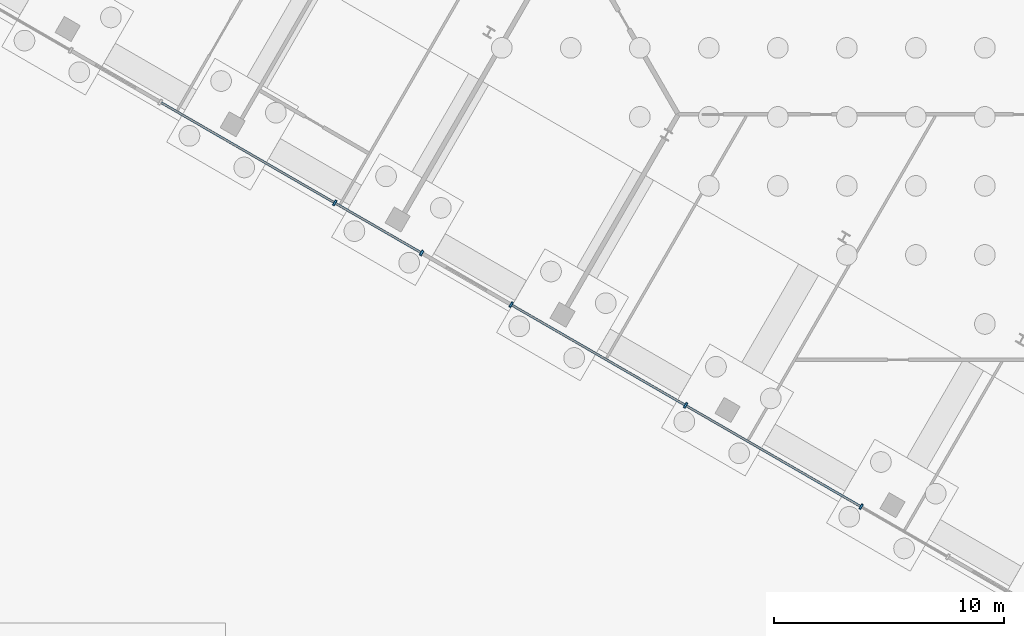
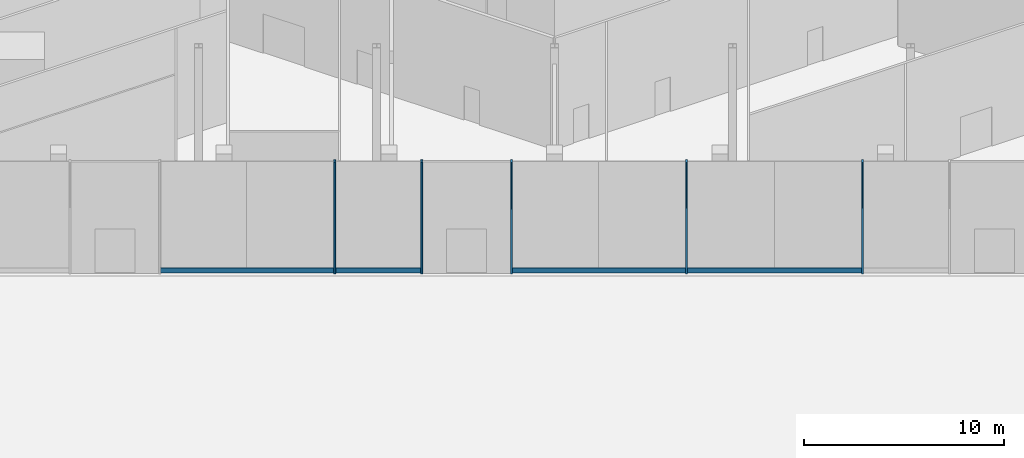
# One storey, part 8 of 27: 9 members, 2 elements without a shape of their own.
"""IFC4 building model written with IfcOpenShell, lengths in metres."""

from ifc_helpers import new_model, si_unit, direction, frame, origin, origin_2d, place, context, subcontext, project, spatial, rectangle, extrude, source, transform, mapped, material, material_profile, profile_set, type_object, element, aggregate, save


model = new_model("IFC4")

# Units and contexts
model_context = context("Model", 3, precision=1e-05, world=origin(), true_north=direction((0.0, 1.0)))
body_context = subcontext(model_context, "Body", "Model", "MODEL_VIEW")
ifc_project = project(units=[si_unit("LENGTHUNIT", "METRE"), si_unit("AREAUNIT", "SQUARE_METRE"), si_unit("VOLUMEUNIT", "CUBIC_METRE"), si_unit("PLANEANGLEUNIT", "RADIAN"), si_unit("MASSUNIT", "GRAM", prefix="KILO")], contexts=[model_context])

# Site, building, storey
site_placement = place(None, origin())
site = spatial("IfcSite", under=ifc_project, at=site_placement, CompositionType="ELEMENT")
building_placement = place(site_placement, origin())
building = spatial("IfcBuilding", under=site, at=building_placement, Name="Triune Harvest Tower", CompositionType="ELEMENT")
storey_placement = place(building_placement, origin())
storey = spatial("IfcBuildingStorey", under=building, at=storey_placement, Name="L00", CompositionType="ELEMENT", Elevation=0.0)

# Curtain wall, members
ifc_material_1 = material(Name="Aluminium bronze anodised", Category="aluminium")
curtain_wall_type = type_object("IfcCurtainWallType", Name="CW-2 Podium shopfront wall", PredefinedType="NOTDEFINED", material=ifc_material_1)
curtain_wall_1_placement = place(storey_placement, origin())
curtain_wall_1 = element("IfcCurtainWall", 1, at=curtain_wall_1_placement, inside=storey, type_object=curtain_wall_type, Name="CW-2 PD-F5 L00 run 2")
ifc_material_2 = material(Name="Aluminium bronze anodised", Category="aluminium")
ifc_material_profile_1 = material_profile(ifc_material_2, rectangle(XDim=0.10009765625, YDim=0.300048828125, at=origin_2d()), Name="TR-2 transom 100 x 300")
ifc_profile_set_1 = profile_set([ifc_material_profile_1], Name="Aluminium bronze anodised")
member_type_1 = type_object("IfcMemberType", Name="TR-2 transom 100 x 300", PredefinedType="USERDEFINED", material=ifc_profile_set_1)
member_1_placement = place(storey_placement, frame((-32.807373046875, -17.37890625, 0.14990234375), z_axis=(0.86602521942, -0.500000319328, 0.0), x_axis=(0.500000319328, 0.86602521942, 0.0)))
member_1 = element("IfcMember", 2, at=member_1_placement, type_object=member_type_1, Name="CW-2 transom PD-F5 2.1", ObjectType="TRANSOM", PredefinedType="USERDEFINED", context=body_context, shape_type="SweptSolid", body=[
    extrude(rectangle(XDim=0.10009765625, YDim=0.300048828125, at=origin_2d()), origin(), (0.0, 0.0, 1.0), 8.67041015625),
])
ifc_material_3 = material(Name="Aluminium bronze anodised", Category="aluminium")
ifc_material_profile_2 = material_profile(ifc_material_3, rectangle(XDim=0.25, YDim=0.090087890625, at=origin_2d()), Name="MU-2 mullion 90 x 250")
ifc_profile_set_2 = profile_set([ifc_material_profile_2], Name="Aluminium bronze anodised")
member_type_2 = type_object("IfcMemberType", Name="MU-2 mullion 90 x 250", PredefinedType="MULLION", material=ifc_profile_set_2)
shared_shape_1 = source(origin(), body_context, "Body", "SweptSolid", [
    extrude(rectangle(XDim=0.25, YDim=0.090087890625, at=origin_2d()), origin(), (0.0, 0.0, 1.0), 6.800048828125),
])
member_2_placement = place(storey_placement, frame((-25.259521484375, -21.736572265625, 0.0), z_axis=(0.0, 0.0, 1.0), x_axis=(0.500000221117, 0.866025276122, 0.0)))
member_2 = element("IfcMember", 3, at=member_2_placement, type_object=member_type_2, Name="CW-2 mullion PD-F5 2.3", PredefinedType="MULLION", context=body_context, shape_type="MappedRepresentation", body=[
    mapped(shared_shape_1, transform((0.0, 0.0, 0.0), scale=1.0)),
])
member_3_placement = place(storey_placement, frame((-21.485595703125, -23.91552734375, 0.0), z_axis=(0.0, 0.0, 1.0), x_axis=(0.500000221117, 0.866025276122, 0.0)))
member_3 = element("IfcMember", 4, at=member_3_placement, type_object=member_type_2, Name="CW-2 mullion PD-F5 2.4", PredefinedType="MULLION", context=body_context, shape_type="MappedRepresentation", body=[
    mapped(shared_shape_1, transform((0.0, 0.0, 0.0), scale=1.0)),
])

curtain_wall_2_placement = place(storey_placement, origin())
curtain_wall_2 = element("IfcCurtainWall", 5, at=curtain_wall_2_placement, inside=storey, type_object=curtain_wall_type, Name="CW-2 PD-F5 L00 run 3")
member_4_placement = place(storey_placement, frame((-17.5947265625, -26.162109375, 0.0), z_axis=(0.0, 0.0, 1.0), x_axis=(0.500000221117, 0.866025276122, 0.0)))
member_4 = element("IfcMember", 6, at=member_4_placement, type_object=member_type_2, Name="CW-2 mullion PD-F5 3.1", PredefinedType="MULLION", context=body_context, shape_type="MappedRepresentation", body=[
    mapped(shared_shape_1, transform((0.0, 0.0, 0.0), scale=1.0)),
])
member_5_placement = place(storey_placement, frame((-10.0078125, -30.542236328125, 0.0), z_axis=(0.0, 0.0, 1.0), x_axis=(0.500000221117, 0.866025276122, 0.0)))
member_5 = element("IfcMember", 7, at=member_5_placement, type_object=member_type_2, Name="CW-2 mullion PD-F5 3.3", PredefinedType="MULLION", context=body_context, shape_type="MappedRepresentation", body=[
    mapped(shared_shape_1, transform((0.0, 0.0, 0.0), scale=1.0)),
])
member_6_placement = place(storey_placement, frame((-2.3818359375, -34.945068359375, 0.0), z_axis=(0.0, 0.0, 1.0), x_axis=(0.500000221117, 0.866025276122, 0.0)))
member_6 = element("IfcMember", 8, at=member_6_placement, type_object=member_type_2, Name="CW-2 mullion PD-F5 3.5", PredefinedType="MULLION", context=body_context, shape_type="MappedRepresentation", body=[
    mapped(shared_shape_1, transform((0.0, 0.0, 0.0), scale=1.0)),
])
shared_shape_2 = source(origin(), body_context, "Body", "SweptSolid", [
    extrude(rectangle(XDim=0.10009765625, YDim=0.300048828125, at=origin_2d()), origin(), (0.0, 0.0, 1.0), 8.670654296875),
])
member_7_placement = place(storey_placement, frame((-17.5556640625, -26.1845703125, 0.14990234375), z_axis=(0.866032258654, -0.49998812683, 0.0), x_axis=(0.49998812683, 0.866032258654, 0.0)))
member_7 = element("IfcMember", 9, at=member_7_placement, type_object=member_type_1, Name="CW-2 transom PD-F5 3.1", ObjectType="TRANSOM", PredefinedType="USERDEFINED", context=body_context, shape_type="MappedRepresentation", body=[
    mapped(shared_shape_2, transform((0.0, 0.0, 0.0), scale=1.0)),
])

# Member
shared_shape_3 = source(origin(), body_context, "Body", "SweptSolid", [
    extrude(rectangle(XDim=0.10009765625, YDim=0.300048828125, at=origin_2d()), origin(), (0.0, 0.0, 1.0), 4.267822265625),
])
member_8_placement = place(storey_placement, frame((-25.220458984375, -21.75927734375, 0.14990234375), z_axis=(0.866037930741, -0.499978302046, 0.0), x_axis=(0.499978302046, 0.866037930741, 0.0)))
member_8 = element("IfcMember", 10, at=member_8_placement, type_object=member_type_1, Name="CW-2 transom PD-F5 2.2", ObjectType="TRANSOM", PredefinedType="USERDEFINED", context=body_context, shape_type="MappedRepresentation", body=[
    mapped(shared_shape_3, transform((0.0, 0.0, 0.0), scale=1.0)),
])

aggregate(curtain_wall_1, [member_2, member_3, member_1, member_8])

shared_shape_4 = source(origin(), body_context, "Body", "SweptSolid", [
    extrude(rectangle(XDim=0.10009765625, YDim=0.300048828125, at=origin_2d()), origin(), (0.0, 0.0, 1.0), 8.715576171875),
])
member_9_placement = place(storey_placement, frame((-9.96875, -30.564697265625, 0.14990234375), z_axis=(0.866017651966, -0.500013426303, 0.0), x_axis=(0.500013426303, 0.866017651966, 0.0)))
member_9 = element("IfcMember", 11, at=member_9_placement, type_object=member_type_1, Name="CW-2 transom PD-F5 3.2", ObjectType="TRANSOM", PredefinedType="USERDEFINED", context=body_context, shape_type="MappedRepresentation", body=[
    mapped(shared_shape_4, transform((0.0, 0.0, 0.0), scale=1.0)),
])

aggregate(curtain_wall_2, [member_4, member_5, member_6, member_7, member_9])

save(model, "model.ifc")
